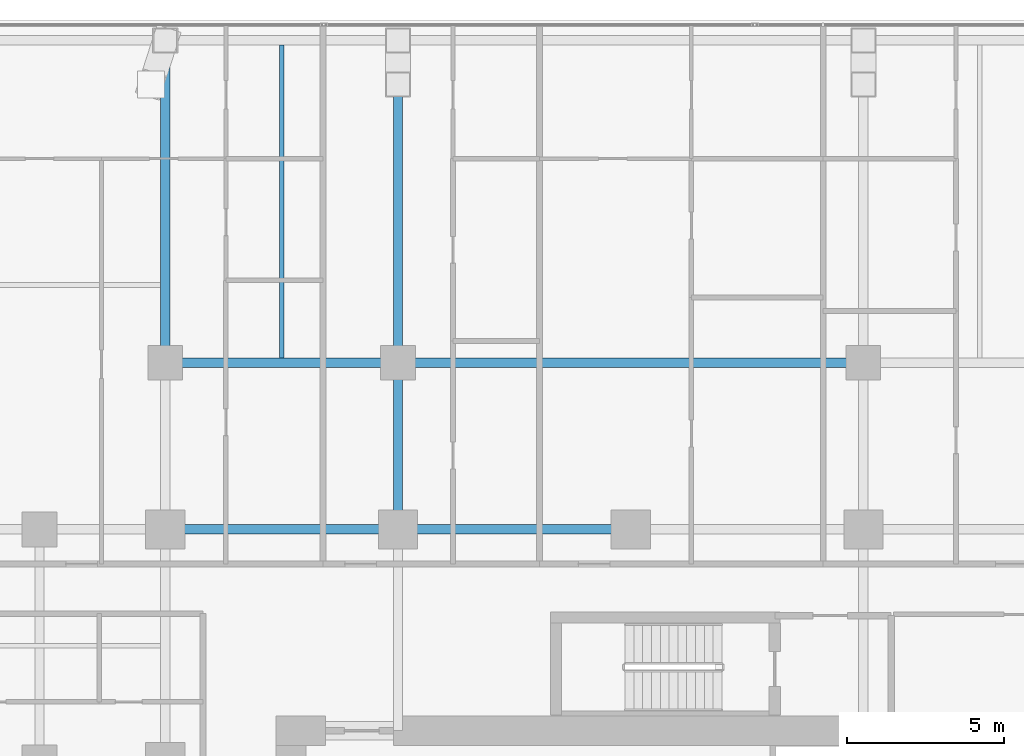
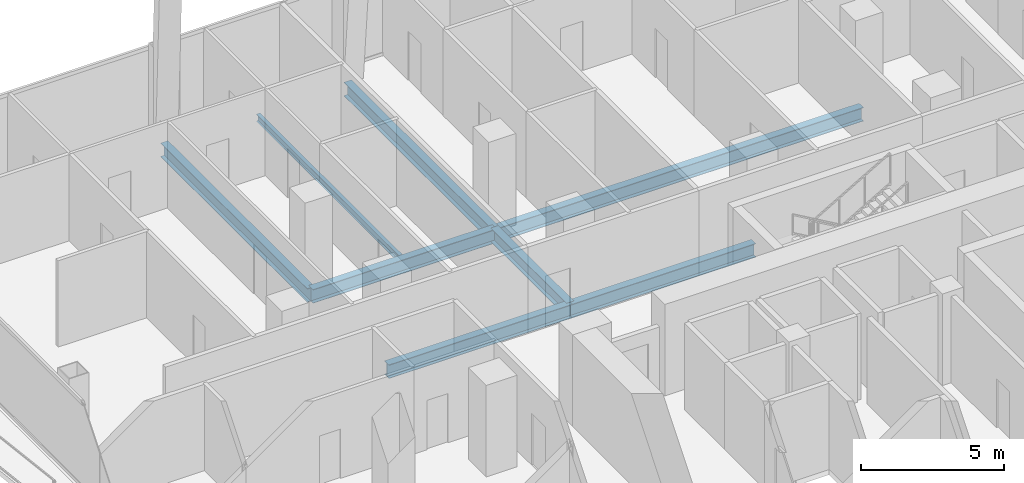
# One storey, part 17 of 32: 8 beams.
"""IFC4 building model written with IfcOpenShell, lengths in metres."""

import ifcopenshell
import ifcopenshell.guid

model = None  # the IFC model being written
_history = None  # IfcOwnerHistory: only IFC2X3 demands one
_inside = {}  # id of a spatial element -> (the spatial element, [elements in it])
_under = {}  # id of a project, library or spatial element -> (it, [spatial elements below it])
_declared = {}  # id of a project -> (the project, [libraries it declares])
_typed = {}  # id of a type object -> (the type object, [elements of that type])
_made_of = {}  # id of a material, layer set ... -> (it, [elements and type objects made of it])


def new_model(schema):
    """Start an empty IFC model of exactly this schema.

    Asked for "IFC4X3", IfcOpenShell would pick the latest addendum, in which some entities
    have other attributes; the version numbers below select the first issue.
    IFC2X3 requires an IfcOwnerHistory on every rooted entity: one is made here for all.
    """
    global model, _history
    if schema == "IFC4X3":
        model = ifcopenshell.file(schema_version=(4, 3, 0, 0))
    else:
        model = ifcopenshell.file(schema=schema)
    _inside.clear()
    _under.clear()
    _declared.clear()
    _typed.clear()
    _made_of.clear()
    _history = None
    if model.schema == "IFC2X3":
        org = make("IfcOrganization", Name="unknown")
        user = make(
            "IfcPersonAndOrganization",
            ThePerson=make("IfcPerson", FamilyName="unknown"),
            TheOrganization=org,
        )
        app = make(
            "IfcApplication",
            ApplicationDeveloper=org,
            Version="unknown",
            ApplicationFullName="unknown",
            ApplicationIdentifier="unknown",
        )
        _history = make(
            "IfcOwnerHistory",
            OwningUser=user,
            OwningApplication=app,
            ChangeAction="ADDED",
            CreationDate=0,
        )
    return model


def make(cls, **values):
    """One entity of the class cls with the attributes given. An attribute that is None is left unset."""
    return model.create_entity(
        cls, **{name: value for name, value in values.items() if value is not None}
    )


def rooted(cls, **values):
    """An entity with a GlobalId (a new one), such as an element, a storey or a relation."""
    return make(cls, GlobalId=ifcopenshell.guid.new(), OwnerHistory=_history, **values)


def si_unit(unit_type, name, prefix=None):
    """IfcSIUnit, for example si_unit("LENGTHUNIT", "METRE", prefix="MILLI")."""
    return make("IfcSIUnit", UnitType=unit_type, Prefix=prefix, Name=name)


def assignment(units):
    """IfcUnitAssignment: the units of a project."""
    return None if units is None else make("IfcUnitAssignment", Units=units)


def point(xyz):
    """IfcCartesianPoint."""
    return None if xyz is None else make("IfcCartesianPoint", Coordinates=xyz)


def direction(xyz):
    """IfcDirection."""
    return None if xyz is None else make("IfcDirection", DirectionRatios=xyz)


def frame(location, z_axis=None, x_axis=None):
    """IfcAxis2Placement3D, a coordinate frame: its origin and axes. An axis left out is left unset."""
    return make(
        "IfcAxis2Placement3D",
        Location=point(location),
        Axis=direction(z_axis),
        RefDirection=direction(x_axis),
    )


def frame_2d(location, x_axis=None):
    """IfcAxis2Placement2D, a coordinate frame in the plane: its origin and x axis."""
    return make(
        "IfcAxis2Placement2D", Location=point(location), RefDirection=direction(x_axis)
    )


def origin():
    """The frame at (0, 0, 0) with its axes left unset."""
    return frame((0.0, 0.0, 0.0))


def origin_2d():
    """The frame at (0, 0) in the plane with its x axis left unset."""
    return frame_2d((0.0, 0.0))


def place(relative_to, where):
    """IfcLocalPlacement: puts the frame where relative to a parent placement (None: the world)."""
    return make(
        "IfcLocalPlacement", PlacementRelTo=relative_to, RelativePlacement=where
    )


def context(
    kind, dimensions, precision=None, world=None, true_north=None, identifier=None
):
    """IfcGeometricRepresentationContext, for example the 3D "Model" context."""
    return make(
        "IfcGeometricRepresentationContext",
        ContextIdentifier=identifier,
        ContextType=kind,
        CoordinateSpaceDimension=dimensions,
        Precision=precision,
        WorldCoordinateSystem=world,
        TrueNorth=true_north,
    )


def subcontext(parent, identifier, kind, view, scale=None):
    """IfcGeometricRepresentationSubContext, for example "Body" below "Model"."""
    return make(
        "IfcGeometricRepresentationSubContext",
        ContextIdentifier=identifier,
        ContextType=kind,
        ParentContext=parent,
        TargetScale=scale,
        TargetView=view,
    )


def project(units=None, contexts=None):
    """IfcProject with its units and contexts."""
    return rooted(
        "IfcProject",
        Name="project",
        RepresentationContexts=contexts,
        UnitsInContext=assignment(units),
    )


def spatial(cls, under=None, at=None, **own):
    """A site, building, storey or space (cls), placed at a placement, below another one or the project."""
    s = rooted(cls, ObjectPlacement=at, **own)
    if under is not None:
        _under.setdefault(under.id(), (under, []))[1].append(s)
    return s


def profile(cls, at=None, kind="AREA", **sizes):
    """A parametric profile (cls). Its sizes go by their IFC names, for example OverallWidth=200.0."""
    return make(cls, ProfileType=kind, Position=at, **sizes)


def i_section(**sizes):
    """IfcIShapeProfileDef."""
    return profile("IfcIShapeProfileDef", **sizes)


def extrude(swept, where, along, depth):
    """IfcExtrudedAreaSolid: the profile swept, set in the frame where, extruded along a direction by depth."""
    return make(
        "IfcExtrudedAreaSolid",
        SweptArea=swept,
        Position=where,
        ExtrudedDirection=direction(along),
        Depth=depth,
    )


def shape(context_of_items, identifier, shape_type, items):
    """IfcShapeRepresentation: the items that make up one representation, for example the "Body"."""
    return make(
        "IfcShapeRepresentation",
        ContextOfItems=context_of_items,
        RepresentationIdentifier=identifier,
        RepresentationType=shape_type,
        Items=items,
    )


def material(Name=None, Category=None):
    """IfcMaterial."""
    return make("IfcMaterial", Name=Name, Category=Category)


def material_profile(
    of_material, cross_section, Name=None, Category=None, Priority=None
):
    """IfcMaterialProfile: a cross section and its material."""
    return make(
        "IfcMaterialProfile",
        Name=Name,
        Material=of_material,
        Profile=cross_section,
        Priority=Priority,
        Category=Category,
    )


def profile_set(profiles, Name=None, composite=None):
    """IfcMaterialProfileSet."""
    return make(
        "IfcMaterialProfileSet",
        Name=Name,
        MaterialProfiles=profiles,
        CompositeProfile=composite,
    )


def made_of(thing, what):
    """Note that an element or type object is made of a material, layer set ...; save() writes the relation."""
    if what is not None:
        _made_of.setdefault(what.id(), (what, []))[1].append(thing)
    return thing


def type_object(cls, material=None, **own):
    """A type object (cls), such as IfcWallType, which elements share."""
    return made_of(rooted(cls, **own), material)


def element(
    cls,
    number,
    at=None,
    inside=None,
    cuts=None,
    type_object=None,
    material=None,
    context=None,
    identifier="Body",
    shape_type=None,
    held_by="IfcProductDefinitionShape",
    body=None,
    shapes=None,
    **own,
):
    """One element of the class cls, such as IfcWall. Its Tag is "e" and its number.

    at: its placement. inside: the storey or other place that contains it. cuts: it is an
    opening in that element (IfcRelVoidsElement). A single representation is given by context,
    identifier, shape_type and body (its items); several are given by shapes. held_by: the class
    of the entity that holds the representations. save() writes the other relations.
    """
    e = rooted(cls, Tag="e%d" % number, ObjectPlacement=at, **own)
    if body is not None:
        shapes = [shape(context, identifier, shape_type, body)]
    if shapes is not None:
        e.Representation = make(held_by, Representations=shapes)
    if inside is not None:
        _inside.setdefault(inside.id(), (inside, []))[1].append(e)
    if cuts is not None:
        rooted(
            "IfcRelVoidsElement", RelatingBuildingElement=cuts, RelatedOpeningElement=e
        )
    if type_object is not None:
        _typed.setdefault(type_object.id(), (type_object, []))[1].append(e)
    return made_of(e, material)


def aggregate(whole, parts):
    """IfcRelAggregates: a whole, such as a stair, and the parts it consists of."""
    return rooted("IfcRelAggregates", RelatingObject=whole, RelatedObjects=parts)


def save(model, path):
    """Write the relations noted so far, then the file.

    IfcRelAggregates (storeys below a building ...), IfcRelContainedInSpatialStructure (elements
    in a storey), IfcRelDefinesByType, IfcRelAssociatesMaterial and IfcRelDeclares: one each for
    every whole, place, type object, material and project.
    """
    for whole, parts in _under.values():
        aggregate(whole, parts)
    for where, things in _inside.values():
        rooted(
            "IfcRelContainedInSpatialStructure",
            RelatedElements=things,
            RelatingStructure=where,
        )
    for kind, things in _typed.values():
        rooted("IfcRelDefinesByType", RelatedObjects=things, RelatingType=kind)
    for what, things in _made_of.values():
        rooted("IfcRelAssociatesMaterial", RelatedObjects=things, RelatingMaterial=what)
    for by, libraries in _declared.values():
        rooted("IfcRelDeclares", RelatingContext=by, RelatedDefinitions=libraries)
    model.write(path)


model = new_model("IFC4")

# Units and contexts
model_context = context("Model", 3, precision=1e-05, world=origin(), true_north=direction((0.0, 1.0)))
body_context = subcontext(model_context, "Body", "Model", "MODEL_VIEW")
ifc_project = project(units=[si_unit("LENGTHUNIT", "METRE"), si_unit("AREAUNIT", "SQUARE_METRE"), si_unit("VOLUMEUNIT", "CUBIC_METRE"), si_unit("PLANEANGLEUNIT", "RADIAN"), si_unit("MASSUNIT", "GRAM", prefix="KILO")], contexts=[model_context])

# Site, building, storey
site_placement = place(None, origin())
site = spatial("IfcSite", under=ifc_project, at=site_placement, CompositionType="ELEMENT")
building_placement = place(site_placement, origin())
building = spatial("IfcBuilding", under=site, at=building_placement, Name="Khorvyn Point Tower", CompositionType="ELEMENT")
storey_placement = place(building_placement, frame((0.0, 0.0, 93.0)))
storey = spatial("IfcBuildingStorey", under=building, at=storey_placement, Name="L23", CompositionType="ELEMENT", Elevation=93.0)

# Beams
ifc_material = material(Name="Steel S355", Category="steel")
ifc_material_profile_1 = material_profile(ifc_material, i_section(OverallWidth=0.300048828125, OverallDepth=0.587890625, WebThickness=0.011962890625, FlangeThickness=0.02001953125, at=origin_2d()))
ifc_profile_set_1 = profile_set([ifc_material_profile_1], Name="Steel S355 H588x300x12x20")
beam_type_1 = type_object("IfcBeamType", Name="Steel S355 Beam H588x300x12x20", PredefinedType="BEAM", material=ifc_profile_set_1)
beam_1_placement = place(storey_placement, frame((-14.800048828125, 14.800048828125, -0.513916015625), z_axis=(1.0, 0.0, 0.0), x_axis=(0.0, 1.0, 0.0)))
element("IfcBeam", 1, at=beam_1_placement, inside=storey, type_object=beam_type_1, Name="Beam", PredefinedType="BEAM", context=body_context, shape_type="SweptSolid", body=[
    extrude(i_section(OverallWidth=0.300048828125, OverallDepth=0.587890625, WebThickness=0.011962890625, FlangeThickness=0.02001953125, at=origin_2d()), origin(), (0.0, 0.0, 1.0), 7.400146484375),
])
beam_2_placement = place(storey_placement, frame((-7.39990234375, 14.800048828125, -0.513916015625), z_axis=(1.0, 0.0, 0.0), x_axis=(0.0, 1.0, 0.0)))
element("IfcBeam", 2, at=beam_2_placement, inside=storey, type_object=beam_type_1, Name="Beam", PredefinedType="BEAM", context=body_context, shape_type="SweptSolid", body=[
    extrude(i_section(OverallWidth=0.300048828125, OverallDepth=0.587890625, WebThickness=0.011962890625, FlangeThickness=0.02001953125, at=origin_2d()), origin(), (0.0, 0.0, 1.0), 7.39990234375),
])
beam_3_placement = place(storey_placement, frame((-14.800048828125, 20.10009765625, -0.513916015625), z_axis=(1.0, 0.0, 0.0), x_axis=(0.0, 1.0, 0.0)))
element("IfcBeam", 3, at=beam_3_placement, inside=storey, type_object=beam_type_1, Name="Beam", PredefinedType="BEAM", context=body_context, shape_type="SweptSolid", body=[
    extrude(i_section(OverallWidth=0.300048828125, OverallDepth=0.587890625, WebThickness=0.011962890625, FlangeThickness=0.02001953125, at=origin_2d()), origin(), (0.0, 0.0, 1.0), 7.400146484375),
])
beam_4_placement = place(storey_placement, frame((-7.39990234375, 20.10009765625, -0.513916015625), z_axis=(1.0, 0.0, 0.0), x_axis=(0.0, 1.0, 0.0)))
element("IfcBeam", 4, at=beam_4_placement, inside=storey, type_object=beam_type_1, Name="Beam", PredefinedType="BEAM", context=body_context, shape_type="SweptSolid", body=[
    extrude(i_section(OverallWidth=0.300048828125, OverallDepth=0.587890625, WebThickness=0.011962890625, FlangeThickness=0.02001953125, at=origin_2d()), origin(), (0.0, 0.0, 1.0), 14.7998046875),
])
beam_5_placement = place(storey_placement, frame((-14.800048828125, 20.10009765625, -0.513916015625), z_axis=(0.0, 1.0, 0.0), x_axis=(-1.0, 0.0, 0.0)))
element("IfcBeam", 5, at=beam_5_placement, inside=storey, type_object=beam_type_1, Name="Beam", PredefinedType="BEAM", context=body_context, shape_type="SweptSolid", body=[
    extrude(i_section(OverallWidth=0.300048828125, OverallDepth=0.587890625, WebThickness=0.011962890625, FlangeThickness=0.02001953125, at=origin_2d()), origin(), (0.0, 0.0, 1.0), 10.25),
])
beam_6_placement = place(storey_placement, frame((-7.39990234375, 14.800048828125, -0.513916015625), z_axis=(0.0, 1.0, 0.0), x_axis=(-1.0, 0.0, 0.0)))
element("IfcBeam", 6, at=beam_6_placement, inside=storey, type_object=beam_type_1, Name="Beam", PredefinedType="BEAM", context=body_context, shape_type="SweptSolid", body=[
    extrude(i_section(OverallWidth=0.300048828125, OverallDepth=0.587890625, WebThickness=0.011962890625, FlangeThickness=0.02001953125, at=origin_2d()), origin(), (0.0, 0.0, 1.0), 5.300048828125),
])
beam_7_placement = place(storey_placement, frame((-7.39990234375, 20.10009765625, -0.513916015625), z_axis=(0.0, 1.0, 0.0), x_axis=(-1.0, 0.0, 0.0)))
element("IfcBeam", 7, at=beam_7_placement, inside=storey, type_object=beam_type_1, Name="Beam", PredefinedType="BEAM", context=body_context, shape_type="SweptSolid", body=[
    extrude(i_section(OverallWidth=0.300048828125, OverallDepth=0.587890625, WebThickness=0.011962890625, FlangeThickness=0.02001953125, at=origin_2d()), origin(), (0.0, 0.0, 1.0), 10.25),
])
ifc_material_profile_2 = material_profile(ifc_material, i_section(OverallWidth=0.14990234375, OverallDepth=0.300048828125, WebThickness=0.006591796875, FlangeThickness=0.009033203125, at=origin_2d()))
ifc_profile_set_2 = profile_set([ifc_material_profile_2], Name="Steel S355 H300x150x6.5x9")
beam_type_2 = type_object("IfcBeamType", Name="Steel S355 Joist H300x150x6.5x9", PredefinedType="JOIST", material=ifc_profile_set_2)
beam_8_placement = place(storey_placement, frame((-11.10009765625, 20.25, -0.3701171875), z_axis=(0.0, 1.0, 0.0), x_axis=(-1.0, 0.0, 0.0)))
element("IfcBeam", 8, at=beam_8_placement, inside=storey, type_object=beam_type_2, Name="Beam", PredefinedType="JOIST", context=body_context, shape_type="SweptSolid", body=[
    extrude(i_section(OverallWidth=0.14990234375, OverallDepth=0.300048828125, WebThickness=0.006591796875, FlangeThickness=0.009033203125, at=origin_2d()), origin(), (0.0, 0.0, 1.0), 9.949951171875),
])

save(model, "model.ifc")
